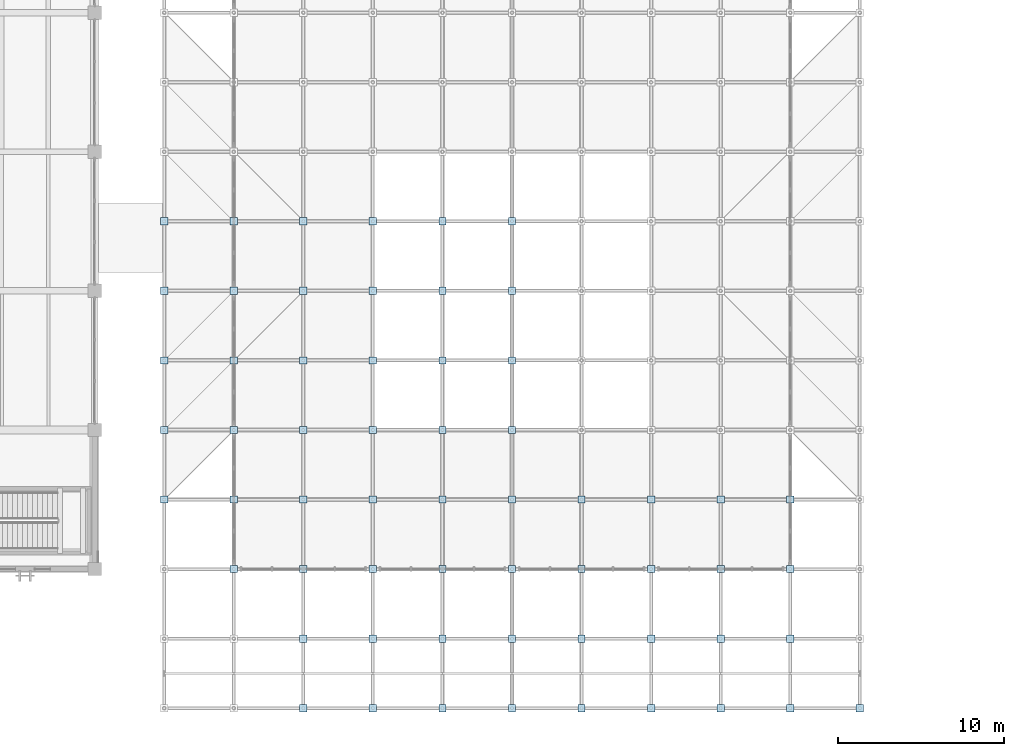
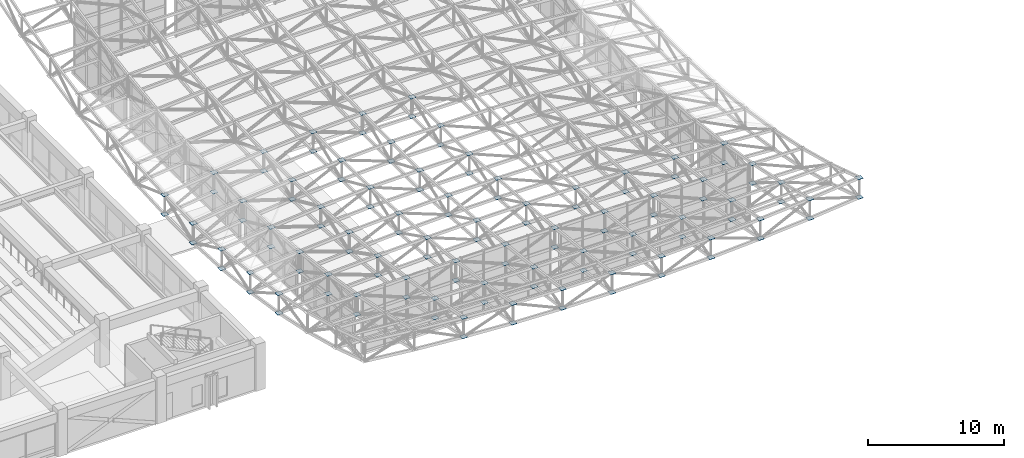
# One storey, part 73 of 132: 120 plates.
"""IFC4 building model written with IfcOpenShell, lengths in metres."""

from ifc_helpers import new_model, si_unit, direction, frame, origin, origin_2d, place, context, subcontext, project, spatial, rectangle, extrude, material, layer, layer_set, type_object, element, save


model = new_model("IFC4")

# Units and contexts
model_context = context("Model", 3, precision=1e-05, world=origin(), true_north=direction((0.0, 1.0)))
body_context = subcontext(model_context, "Body", "Model", "MODEL_VIEW")
ifc_project = project(units=[si_unit("LENGTHUNIT", "METRE"), si_unit("AREAUNIT", "SQUARE_METRE"), si_unit("VOLUMEUNIT", "CUBIC_METRE"), si_unit("PLANEANGLEUNIT", "RADIAN"), si_unit("MASSUNIT", "GRAM", prefix="KILO")], contexts=[model_context])

# Site, building, storey
site_placement = place(None, origin())
site = spatial("IfcSite", under=ifc_project, at=site_placement, CompositionType="ELEMENT")
building_placement = place(site_placement, origin())
building = spatial("IfcBuilding", under=site, at=building_placement, Name="Cumbredor Promenade Congress Hotel", CompositionType="ELEMENT")
storey_placement = place(building_placement, frame((0.0, 0.0, 7.56005859375)))
storey = spatial("IfcBuildingStorey", under=building, at=storey_placement, Name="L02", CompositionType="ELEMENT", Elevation=7.56005859375)

# Plates
ifc_material = material(Name="Steel ASTM A572 Grade 50", Category="steel")
ifc_layer = layer(ifc_material, 0.028076171875, Name="Steel ASTM A572 Grade 50", Category="steel")
ifc_layer_set = layer_set([ifc_layer], Name="Steel ASTM A572 Grade 50")
plate_type = type_object("IfcPlateType", Name="Space Frame Node Assembly ND-03", PredefinedType="USERDEFINED", material=ifc_layer_set)
for number, where, z_axis, x_axis, name in (
    (1, (71.39990234375, 12.60009765625, 4.40478515625), (0.0, 0.0, 1.0), (1.0, 0.0, 0.0), "Thermal Spa and Hydrotherapy Pavilion Space Frame Top Node 1.4"),
    (2, (71.39990234375, 12.60009765625, 2.65478515625), (0.0, 0.0, 1.0), (1.0, 0.0, 0.0), "Thermal Spa and Hydrotherapy Pavilion Space Frame Bottom Node 1.4"),
    (3, (71.39990234375, 16.800048828125, 3.7392578125), (0.0, 0.0, 1.0), (1.0, 0.0, 0.0), "Thermal Spa and Hydrotherapy Pavilion Space Frame Top Node 1.5"),
    (4, (71.39990234375, 16.800048828125, 1.9892578125), (0.0, 0.0, 1.0), (1.0, 0.0, 0.0), "Thermal Spa and Hydrotherapy Pavilion Space Frame Bottom Node 1.5"),
    (5, (71.39990234375, 21.0, 3.29541015625), (0.0, 0.0, 1.0), (1.0, 0.0, 0.0), "Thermal Spa and Hydrotherapy Pavilion Space Frame Top Node 1.6"),
    (6, (71.39990234375, 21.0, 1.54541015625), (0.0, 0.0, 1.0), (1.0, 0.0, 0.0), "Thermal Spa and Hydrotherapy Pavilion Space Frame Bottom Node 1.6"),
    (7, (71.39990234375, 25.199951171875, 3.0732421875), (0.0, 0.0, 1.0), (1.0, 0.0, 0.0), "Thermal Spa and Hydrotherapy Pavilion Space Frame Top Node 1.7"),
    (8, (71.39990234375, 25.199951171875, 1.3232421875), (0.0, 0.0, 1.0), (1.0, 0.0, 0.0), "Thermal Spa and Hydrotherapy Pavilion Space Frame Bottom Node 1.7"),
    (9, (71.39990234375, 29.39990234375, 3.0732421875), (0.0, 0.0, 1.0), (1.0, 0.0, 0.0), "Thermal Spa and Hydrotherapy Pavilion Space Frame Top Node 1.8"),
    (10, (71.39990234375, 29.39990234375, 1.3232421875), (0.0, 0.0, 1.0), (1.0, 0.0, 0.0), "Thermal Spa and Hydrotherapy Pavilion Space Frame Bottom Node 1.8"),
    (11, (75.60009765625, 8.39990234375, 5.3662109375), (0.0, 0.0, 1.0), (1.0, 0.0, 0.0), "Thermal Spa and Hydrotherapy Pavilion Space Frame Top Node 2.3"),
    (12, (75.60009765625, 8.39990234375, 3.6162109375), (0.0, 0.0, 1.0), (1.0, 0.0, 0.0), "Thermal Spa and Hydrotherapy Pavilion Space Frame Bottom Node 2.3"),
    (13, (75.60009765625, 12.60009765625, 4.6630859375), (0.0, 0.0, 1.0), (1.0, 0.0, 0.0), "Thermal Spa and Hydrotherapy Pavilion Space Frame Top Node 2.4"),
    (14, (75.60009765625, 12.60009765625, 2.9130859375), (0.0, 0.0, 1.0), (1.0, 0.0, 0.0), "Thermal Spa and Hydrotherapy Pavilion Space Frame Bottom Node 2.4"),
    (15, (75.60009765625, 16.800048828125, 4.13525390625), (0.0, 0.0, 1.0), (1.0, 0.0, 0.0), "Thermal Spa and Hydrotherapy Pavilion Space Frame Top Node 2.5"),
    (16, (75.60009765625, 16.800048828125, 2.38525390625), (0.0, 0.0, 1.0), (1.0, 0.0, 0.0), "Thermal Spa and Hydrotherapy Pavilion Space Frame Bottom Node 2.5"),
    (17, (75.60009765625, 21.0, 3.783203125), (0.0, 0.0, 1.0), (1.0, 0.0, 0.0), "Thermal Spa and Hydrotherapy Pavilion Space Frame Top Node 2.6"),
    (18, (75.60009765625, 21.0, 2.033203125), (0.0, 0.0, 1.0), (1.0, 0.0, 0.0), "Thermal Spa and Hydrotherapy Pavilion Space Frame Bottom Node 2.6"),
    (19, (75.60009765625, 25.199951171875, 3.60791015625), (0.0, 0.0, 1.0), (1.0, 0.0, 0.0), "Thermal Spa and Hydrotherapy Pavilion Space Frame Top Node 2.7"),
    (20, (75.60009765625, 25.199951171875, 1.85791015625), (0.0, 0.0, 1.0), (1.0, 0.0, 0.0), "Thermal Spa and Hydrotherapy Pavilion Space Frame Bottom Node 2.7"),
    (21, (75.60009765625, 29.39990234375, 3.60791015625), (0.0, 0.0, 1.0), (1.0, 0.0, 0.0), "Thermal Spa and Hydrotherapy Pavilion Space Frame Top Node 2.8"),
    (22, (75.60009765625, 29.39990234375, 1.85791015625), (0.0, 0.0, 1.0), (1.0, 0.0, 0.0), "Thermal Spa and Hydrotherapy Pavilion Space Frame Bottom Node 2.8"),
    (23, (79.800048828125, 0.0, 6.97412109375), (0.0, 0.0, 1.0), (1.0, 0.0, 0.0), "Thermal Spa and Hydrotherapy Pavilion Space Frame Top Node 3.1"),
    (24, (79.800048828125, 0.0, 5.22412109375), (0.0, 0.0, 1.0), (1.0, 0.0, 0.0), "Thermal Spa and Hydrotherapy Pavilion Space Frame Bottom Node 3.1"),
    (25, (79.800048828125, 4.199951171875, 6.1279296875), (0.0, 0.0, 1.0), (1.0, 0.0, 0.0), "Thermal Spa and Hydrotherapy Pavilion Space Frame Top Node 3.2"),
    (26, (79.800048828125, 4.199951171875, 4.3779296875), (0.0, 0.0, 1.0), (1.0, 0.0, 0.0), "Thermal Spa and Hydrotherapy Pavilion Space Frame Bottom Node 3.2"),
    (27, (79.800048828125, 8.39990234375, 5.4267578125), (0.0, 0.0, 1.0), (1.0, 0.0, 0.0), "Thermal Spa and Hydrotherapy Pavilion Space Frame Top Node 3.3"),
    (28, (79.800048828125, 8.39990234375, 3.6767578125), (0.0, 0.0, 1.0), (1.0, 0.0, 0.0), "Thermal Spa and Hydrotherapy Pavilion Space Frame Bottom Node 3.3"),
    (29, (79.800048828125, 12.60009765625, 4.86572265625), (0.0, 0.0, 1.0), (1.0, 0.0, 0.0), "Thermal Spa and Hydrotherapy Pavilion Space Frame Top Node 3.4"),
    (30, (79.800048828125, 12.60009765625, 3.11572265625), (0.0, 0.0, 1.0), (1.0, 0.0, 0.0), "Thermal Spa and Hydrotherapy Pavilion Space Frame Bottom Node 3.4"),
    (31, (79.800048828125, 16.800048828125, 4.44482421875), (0.0, 0.0, 1.0), (1.0, 0.0, 0.0), "Thermal Spa and Hydrotherapy Pavilion Space Frame Top Node 3.5"),
    (32, (79.800048828125, 16.800048828125, 2.69482421875), (0.0, 0.0, 1.0), (1.0, 0.0, 0.0), "Thermal Spa and Hydrotherapy Pavilion Space Frame Bottom Node 3.5"),
    (33, (79.800048828125, 21.0, 4.1640625), (0.0, 0.0, 1.0), (1.0, 0.0, 0.0), "Thermal Spa and Hydrotherapy Pavilion Space Frame Top Node 3.6"),
    (34, (79.800048828125, 21.0, 2.4140625), (0.0, 0.0, 1.0), (1.0, 0.0, 0.0), "Thermal Spa and Hydrotherapy Pavilion Space Frame Bottom Node 3.6"),
    (35, (79.800048828125, 25.199951171875, 4.02392578125), (0.0, 0.0, 1.0), (1.0, 0.0, 0.0), "Thermal Spa and Hydrotherapy Pavilion Space Frame Top Node 3.7"),
    (36, (79.800048828125, 25.199951171875, 2.27392578125), (0.0, 0.0, 1.0), (1.0, 0.0, 0.0), "Thermal Spa and Hydrotherapy Pavilion Space Frame Bottom Node 3.7"),
    (37, (79.800048828125, 29.39990234375, 4.02392578125), (0.0, 0.0, 1.0), (1.0, 0.0, 0.0), "Thermal Spa and Hydrotherapy Pavilion Space Frame Top Node 3.8"),
    (38, (79.800048828125, 29.39990234375, 2.27392578125), (0.0, 0.0, 1.0), (1.0, 0.0, 0.0), "Thermal Spa and Hydrotherapy Pavilion Space Frame Bottom Node 3.8"),
    (39, (84.0, 0.0, 6.736328125), (0.0, 0.0, 1.0), (1.0, 0.0, 0.0), "Thermal Spa and Hydrotherapy Pavilion Space Frame Top Node 4.1"),
    (40, (84.0, 0.0, 4.986328125), (0.0, 0.0, 1.0), (1.0, 0.0, 0.0), "Thermal Spa and Hydrotherapy Pavilion Space Frame Bottom Node 4.1"),
    (41, (84.0, 4.199951171875, 6.04443359375), (0.0, 0.0, 1.0), (1.0, 0.0, 0.0), "Thermal Spa and Hydrotherapy Pavilion Space Frame Top Node 4.2"),
    (42, (84.0, 4.199951171875, 4.29443359375), (0.0, 0.0, 1.0), (1.0, 0.0, 0.0), "Thermal Spa and Hydrotherapy Pavilion Space Frame Bottom Node 4.2"),
    (43, (84.0, 8.39990234375, 5.47021484375), (0.0, 0.0, 1.0), (1.0, 0.0, 0.0), "Thermal Spa and Hydrotherapy Pavilion Space Frame Top Node 4.3"),
    (44, (84.0, 8.39990234375, 3.72021484375), (0.0, 0.0, 1.0), (1.0, 0.0, 0.0), "Thermal Spa and Hydrotherapy Pavilion Space Frame Bottom Node 4.3"),
    (45, (84.0, 12.60009765625, 5.0107421875), (0.0, 0.0, 1.0), (1.0, 0.0, 0.0), "Thermal Spa and Hydrotherapy Pavilion Space Frame Top Node 4.4"),
    (46, (84.0, 12.60009765625, 3.2607421875), (0.0, 0.0, 1.0), (1.0, 0.0, 0.0), "Thermal Spa and Hydrotherapy Pavilion Space Frame Bottom Node 4.4"),
    (47, (84.0, 16.800048828125, 4.666015625), (0.0, 0.0, 1.0), (1.0, 0.0, 0.0), "Thermal Spa and Hydrotherapy Pavilion Space Frame Top Node 4.5"),
    (48, (84.0, 16.800048828125, 2.916015625), (0.0, 0.0, 1.0), (1.0, 0.0, 0.0), "Thermal Spa and Hydrotherapy Pavilion Space Frame Bottom Node 4.5"),
    (49, (84.0, 21.0, 4.4365234375), (0.0, 0.0, 1.0), (1.0, 0.0, 0.0), "Thermal Spa and Hydrotherapy Pavilion Space Frame Top Node 4.6"),
    (50, (84.0, 21.0, 2.6865234375), (0.0, 0.0, 1.0), (1.0, 0.0, 0.0), "Thermal Spa and Hydrotherapy Pavilion Space Frame Bottom Node 4.6"),
    (51, (84.0, 25.199951171875, 4.32177734375), (0.0, 0.0, 1.0), (1.0, 0.0, 0.0), "Thermal Spa and Hydrotherapy Pavilion Space Frame Top Node 4.7"),
    (52, (84.0, 25.199951171875, 2.57177734375), (0.0, 0.0, 1.0), (1.0, 0.0, 0.0), "Thermal Spa and Hydrotherapy Pavilion Space Frame Bottom Node 4.7"),
    (53, (84.0, 29.39990234375, 4.32177734375), (0.0, 0.0, 1.0), (1.0, 0.0, 0.0), "Thermal Spa and Hydrotherapy Pavilion Space Frame Top Node 4.8"),
    (54, (84.0, 29.39990234375, 2.57177734375), (0.0, 0.0, 1.0), (1.0, 0.0, 0.0), "Thermal Spa and Hydrotherapy Pavilion Space Frame Bottom Node 4.8"),
    (55, (88.199951171875, 0.0, 6.59326171875), (0.0, 0.0, 1.0), (1.0, 0.0, 0.0), "Thermal Spa and Hydrotherapy Pavilion Space Frame Top Node 5.1"),
    (56, (88.199951171875, 0.0, 4.84326171875), (0.0, 0.0, 1.0), (1.0, 0.0, 0.0), "Thermal Spa and Hydrotherapy Pavilion Space Frame Bottom Node 5.1"),
    (57, (88.199951171875, 4.199951171875, 5.994140625), (0.0, 0.0, 1.0), (1.0, 0.0, 0.0), "Thermal Spa and Hydrotherapy Pavilion Space Frame Top Node 5.2"),
    (58, (88.199951171875, 4.199951171875, 4.244140625), (0.0, 0.0, 1.0), (1.0, 0.0, 0.0), "Thermal Spa and Hydrotherapy Pavilion Space Frame Bottom Node 5.2"),
    (59, (88.199951171875, 8.39990234375, 5.49609375), (0.0, 0.0, 1.0), (1.0, 0.0, 0.0), "Thermal Spa and Hydrotherapy Pavilion Space Frame Top Node 5.3"),
    (60, (88.199951171875, 8.39990234375, 3.74609375), (0.0, 0.0, 1.0), (1.0, 0.0, 0.0), "Thermal Spa and Hydrotherapy Pavilion Space Frame Bottom Node 5.3"),
    (61, (88.199951171875, 12.60009765625, 5.09765625), (0.0, 0.0, 1.0), (1.0, 0.0, 0.0), "Thermal Spa and Hydrotherapy Pavilion Space Frame Top Node 5.4"),
    (62, (88.199951171875, 12.60009765625, 3.34765625), (0.0, 0.0, 1.0), (1.0, 0.0, 0.0), "Thermal Spa and Hydrotherapy Pavilion Space Frame Bottom Node 5.4"),
    (63, (88.199951171875, 16.800048828125, 4.798828125), (0.0, 0.0, 1.0), (1.0, 0.0, 0.0), "Thermal Spa and Hydrotherapy Pavilion Space Frame Top Node 5.5"),
    (64, (88.199951171875, 16.800048828125, 3.048828125), (0.0, 0.0, 1.0), (1.0, 0.0, 0.0), "Thermal Spa and Hydrotherapy Pavilion Space Frame Bottom Node 5.5"),
    (65, (88.199951171875, 21.0, 4.49951171875), (0.0, 0.0, 1.0), (1.0, 0.0, 0.0), "Thermal Spa and Hydrotherapy Pavilion Space Frame Top Node 5.6"),
    (66, (88.199951171875, 21.0, 2.74951171875), (0.0, 0.0, 1.0), (1.0, 0.0, 0.0), "Thermal Spa and Hydrotherapy Pavilion Space Frame Bottom Node 5.6"),
    (67, (88.199951171875, 25.199951171875, 4.5), (0.0, 0.0, 1.0), (1.0, 0.0, 0.0), "Thermal Spa and Hydrotherapy Pavilion Space Frame Top Node 5.7"),
    (68, (88.199951171875, 25.199951171875, 2.75), (0.0, 0.0, 1.0), (1.0, 0.0, 0.0), "Thermal Spa and Hydrotherapy Pavilion Space Frame Bottom Node 5.7"),
    (69, (88.199951171875, 29.39990234375, 4.5), (0.0, 0.0, 1.0), (1.0, 0.0, 0.0), "Thermal Spa and Hydrotherapy Pavilion Space Frame Top Node 5.8"),
    (70, (88.199951171875, 29.39990234375, 2.75), (0.0, 0.0, 1.0), (1.0, 0.0, 0.0), "Thermal Spa and Hydrotherapy Pavilion Space Frame Bottom Node 5.8"),
    (71, (92.39990234375, 0.0, 6.5458984375), (0.0, 0.0, 1.0), (1.0, 0.0, 0.0), "Thermal Spa and Hydrotherapy Pavilion Space Frame Top Node 6.1"),
    (72, (92.39990234375, 0.0, 4.7958984375), (0.0, 0.0, 1.0), (1.0, 0.0, 0.0), "Thermal Spa and Hydrotherapy Pavilion Space Frame Bottom Node 6.1"),
    (73, (92.39990234375, 4.199951171875, 5.9775390625), (0.0, 0.0, 1.0), (1.0, 0.0, 0.0), "Thermal Spa and Hydrotherapy Pavilion Space Frame Top Node 6.2"),
    (74, (92.39990234375, 4.199951171875, 4.2275390625), (0.0, 0.0, 1.0), (1.0, 0.0, 0.0), "Thermal Spa and Hydrotherapy Pavilion Space Frame Bottom Node 6.2"),
    (75, (92.39990234375, 8.39990234375, 5.5048828125), (0.0, 0.0, 1.0), (1.0, 0.0, 0.0), "Thermal Spa and Hydrotherapy Pavilion Space Frame Top Node 6.3"),
    (76, (92.39990234375, 8.39990234375, 3.7548828125), (0.0, 0.0, 1.0), (1.0, 0.0, 0.0), "Thermal Spa and Hydrotherapy Pavilion Space Frame Bottom Node 6.3"),
    (77, (92.39990234375, 12.60009765625, 5.12646484375), (0.0, 0.0, 1.0), (1.0, 0.0, 0.0), "Thermal Spa and Hydrotherapy Pavilion Space Frame Top Node 6.4"),
    (78, (92.39990234375, 12.60009765625, 3.37646484375), (0.0, 0.0, 1.0), (1.0, 0.0, 0.0), "Thermal Spa and Hydrotherapy Pavilion Space Frame Bottom Node 6.4"),
    (79, (92.39990234375, 16.800048828125, 4.8427734375), (0.0, 0.0, 1.0), (1.0, 0.0, 0.0), "Thermal Spa and Hydrotherapy Pavilion Space Frame Top Node 6.5"),
    (80, (92.39990234375, 16.800048828125, 3.0927734375), (0.0, 0.0, 1.0), (1.0, 0.0, 0.0), "Thermal Spa and Hydrotherapy Pavilion Space Frame Bottom Node 6.5"),
    (81, (92.39990234375, 21.0, 4.49951171875), (0.0, 0.0, 1.0), (1.0, 0.0, 0.0), "Thermal Spa and Hydrotherapy Pavilion Space Frame Top Node 6.6"),
    (82, (92.39990234375, 21.0, 2.74951171875), (0.0, 0.0, 1.0), (1.0, 0.0, 0.0), "Thermal Spa and Hydrotherapy Pavilion Space Frame Bottom Node 6.6"),
    (83, (92.39990234375, 25.199951171875, 4.50048828125), (0.0, 0.0, 1.0), (1.0, 0.0, 0.0), "Thermal Spa and Hydrotherapy Pavilion Space Frame Top Node 6.7"),
    (84, (92.39990234375, 25.199951171875, 2.75048828125), (0.0, 0.0, 1.0), (1.0, 0.0, 0.0), "Thermal Spa and Hydrotherapy Pavilion Space Frame Bottom Node 6.7"),
    (85, (92.39990234375, 29.39990234375, 4.5), (0.0, 0.0, 1.0), (1.0, 0.0, 0.0), "Thermal Spa and Hydrotherapy Pavilion Space Frame Top Node 6.8"),
    (86, (92.39990234375, 29.39990234375, 2.75), (0.0, 0.0, 1.0), (1.0, 0.0, 0.0), "Thermal Spa and Hydrotherapy Pavilion Space Frame Bottom Node 6.8"),
    (87, (96.60009765625, 0.0, 6.59326171875), (0.0, 0.0, 1.0), (1.0, 0.0, 0.0), "Thermal Spa and Hydrotherapy Pavilion Space Frame Top Node 7.1"),
    (88, (96.60009765625, 0.0, 4.84326171875), (0.0, 0.0, 1.0), (1.0, 0.0, 0.0), "Thermal Spa and Hydrotherapy Pavilion Space Frame Bottom Node 7.1"),
    (89, (96.60009765625, 4.199951171875, 5.994140625), (0.0, 0.0, 1.0), (1.0, 0.0, 0.0), "Thermal Spa and Hydrotherapy Pavilion Space Frame Top Node 7.2"),
    (90, (96.60009765625, 4.199951171875, 4.244140625), (0.0, 0.0, 1.0), (1.0, 0.0, 0.0), "Thermal Spa and Hydrotherapy Pavilion Space Frame Bottom Node 7.2"),
    (91, (96.60009765625, 8.39990234375, 5.49609375), (0.0, 0.0, 1.0), (1.0, 0.0, 0.0), "Thermal Spa and Hydrotherapy Pavilion Space Frame Top Node 7.3"),
    (92, (96.60009765625, 8.39990234375, 3.74609375), (0.0, 0.0, 1.0), (1.0, 0.0, 0.0), "Thermal Spa and Hydrotherapy Pavilion Space Frame Bottom Node 7.3"),
    (93, (96.60009765625, 12.60009765625, 5.09765625), (0.0, 0.0, 1.0), (1.0, 0.0, 0.0), "Thermal Spa and Hydrotherapy Pavilion Space Frame Top Node 7.4"),
    (94, (96.60009765625, 12.60009765625, 3.34765625), (0.0, 0.0, 1.0), (1.0, 0.0, 0.0), "Thermal Spa and Hydrotherapy Pavilion Space Frame Bottom Node 7.4"),
    (95, (100.800048828125, 0.0, 6.736328125), (0.0, 0.0, 1.0), (1.0, 0.0, 0.0), "Thermal Spa and Hydrotherapy Pavilion Space Frame Top Node 8.1"),
    (96, (100.800048828125, 0.0, 4.986328125), (0.0, 0.0, 1.0), (1.0, 0.0, 0.0), "Thermal Spa and Hydrotherapy Pavilion Space Frame Bottom Node 8.1"),
    (97, (100.800048828125, 4.199951171875, 6.04443359375), (0.0, 0.0, 1.0), (1.0, 0.0, 0.0), "Thermal Spa and Hydrotherapy Pavilion Space Frame Top Node 8.2"),
    (98, (100.800048828125, 4.199951171875, 4.29443359375), (0.0, 0.0, 1.0), (1.0, 0.0, 0.0), "Thermal Spa and Hydrotherapy Pavilion Space Frame Bottom Node 8.2"),
    (99, (100.800048828125, 8.39990234375, 5.47021484375), (0.0, 0.0, 1.0), (1.0, 0.0, 0.0), "Thermal Spa and Hydrotherapy Pavilion Space Frame Top Node 8.3"),
    (100, (100.800048828125, 8.39990234375, 3.72021484375), (0.0, 0.0, 1.0), (1.0, 0.0, 0.0), "Thermal Spa and Hydrotherapy Pavilion Space Frame Bottom Node 8.3"),
    (101, (100.800048828125, 12.60009765625, 5.0107421875), (0.0, 0.0, 1.0), (1.0, 0.0, 0.0), "Thermal Spa and Hydrotherapy Pavilion Space Frame Top Node 8.4"),
    (102, (100.800048828125, 12.60009765625, 3.2607421875), (0.0, 0.0, 1.0), (1.0, 0.0, 0.0), "Thermal Spa and Hydrotherapy Pavilion Space Frame Bottom Node 8.4"),
    (103, (105.0, 0.0, 6.97412109375), (0.0, 0.0, 1.0), (1.0, 0.0, 0.0), "Thermal Spa and Hydrotherapy Pavilion Space Frame Top Node 9.1"),
    (104, (105.0, 0.0, 5.22412109375), (0.0, 0.0, 1.0), (1.0, 0.0, 0.0), "Thermal Spa and Hydrotherapy Pavilion Space Frame Bottom Node 9.1"),
    (105, (105.0, 4.199951171875, 6.1279296875), (0.0, 0.0, 1.0), (1.0, 0.0, 0.0), "Thermal Spa and Hydrotherapy Pavilion Space Frame Top Node 9.2"),
    (106, (105.0, 4.199951171875, 4.3779296875), (0.0, 0.0, 1.0), (1.0, 0.0, 0.0), "Thermal Spa and Hydrotherapy Pavilion Space Frame Bottom Node 9.2"),
    (107, (105.0, 8.39990234375, 5.4267578125), (0.0, 0.0, 1.0), (1.0, 0.0, 0.0), "Thermal Spa and Hydrotherapy Pavilion Space Frame Top Node 9.3"),
    (108, (105.0, 8.39990234375, 3.6767578125), (0.0, 0.0, 1.0), (1.0, 0.0, 0.0), "Thermal Spa and Hydrotherapy Pavilion Space Frame Bottom Node 9.3"),
    (109, (105.0, 12.60009765625, 4.86572265625), (0.0, 0.0, 1.0), (1.0, 0.0, 0.0), "Thermal Spa and Hydrotherapy Pavilion Space Frame Top Node 9.4"),
    (110, (105.0, 12.60009765625, 3.11572265625), (0.0, 0.0, 1.0), (1.0, 0.0, 0.0), "Thermal Spa and Hydrotherapy Pavilion Space Frame Bottom Node 9.4"),
    (111, (109.199951171875, 0.0, 7.30712890625), (0.0, 0.0, 1.0), (1.0, 0.0, 0.0), "Thermal Spa and Hydrotherapy Pavilion Space Frame Top Node 10.1"),
    (112, (109.199951171875, 0.0, 5.55712890625), (0.0, 0.0, 1.0), (1.0, 0.0, 0.0), "Thermal Spa and Hydrotherapy Pavilion Space Frame Bottom Node 10.1"),
    (113, (109.199951171875, 4.199951171875, 6.2451171875), (0.0, 0.0, 1.0), (1.0, 0.0, 0.0), "Thermal Spa and Hydrotherapy Pavilion Space Frame Top Node 10.2"),
    (114, (109.199951171875, 4.199951171875, 4.4951171875), (0.0, 0.0, 1.0), (1.0, 0.0, 0.0), "Thermal Spa and Hydrotherapy Pavilion Space Frame Bottom Node 10.2"),
    (115, (109.199951171875, 8.39990234375, 5.3662109375), (0.0, 0.0, 1.0), (1.0, 0.0, 0.0), "Thermal Spa and Hydrotherapy Pavilion Space Frame Top Node 10.3"),
    (116, (109.199951171875, 8.39990234375, 3.6162109375), (0.0, 0.0, 1.0), (1.0, 0.0, 0.0), "Thermal Spa and Hydrotherapy Pavilion Space Frame Bottom Node 10.3"),
    (117, (109.199951171875, 12.60009765625, 4.6630859375), (0.0, 0.0, 1.0), (1.0, 0.0, 0.0), "Thermal Spa and Hydrotherapy Pavilion Space Frame Top Node 10.4"),
    (118, (109.199951171875, 12.60009765625, 2.9130859375), (0.0, 0.0, 1.0), (1.0, 0.0, 0.0), "Thermal Spa and Hydrotherapy Pavilion Space Frame Bottom Node 10.4"),
    (119, (113.39990234375, 0.0, 7.73583984375), (0.0, 0.0, 1.0), (1.0, 0.0, 0.0), "Thermal Spa and Hydrotherapy Pavilion Space Frame Top Node 11.1"),
    (120, (113.39990234375, 0.0, 5.98583984375), (0.0, 0.0, 1.0), (1.0, 0.0, 0.0), "Thermal Spa and Hydrotherapy Pavilion Space Frame Bottom Node 11.1"),
):
    element("IfcPlate", number, at=place(storey_placement, frame(where, z_axis=z_axis, x_axis=x_axis)), inside=storey, type_object=plate_type, Name=name, ObjectType="GUSSET PLATE", PredefinedType="USERDEFINED", context=body_context, shape_type="SweptSolid", body=[
        extrude(rectangle(XDim=0.43994140625, YDim=0.43994140625, at=origin_2d()), origin(), (0.0, 0.0, 1.0), 0.028076171875),
    ])

save(model, "model.ifc")
